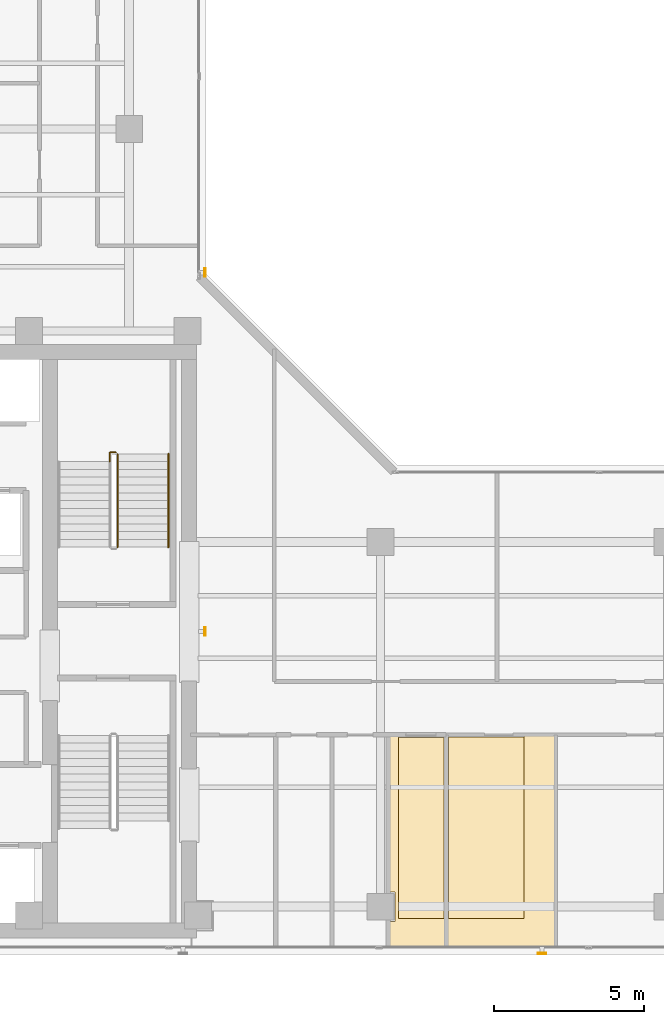
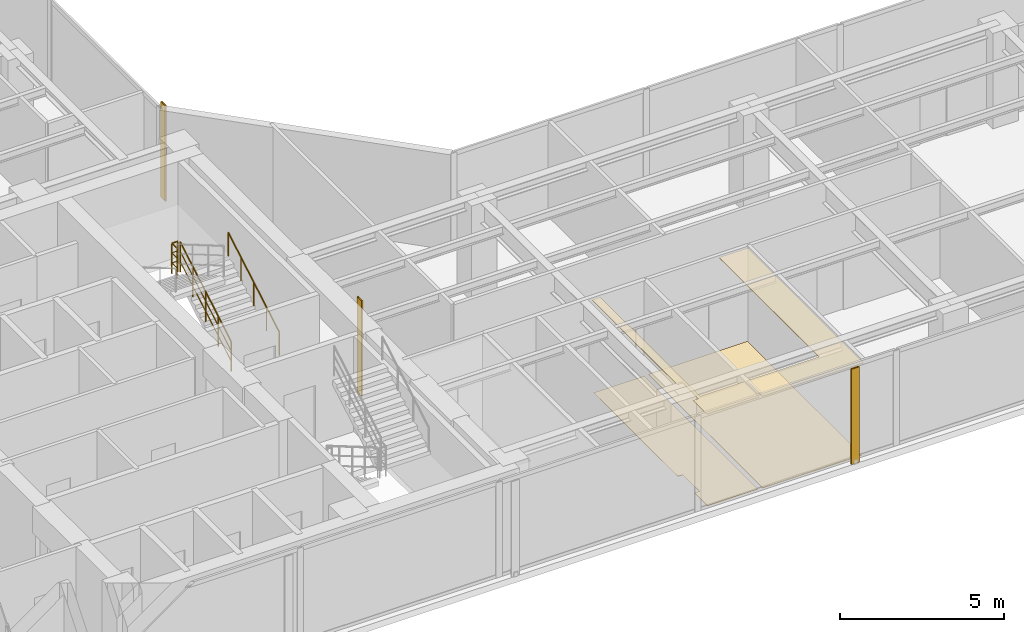
# One storey, part 20 of 22: 4 coverings, 3 railings, 3 shading devices.
"""IFC4 building model written with IfcOpenShell, lengths in metres."""

from ifc_helpers import new_model, si_unit, direction, frame, origin, origin_2d, place, context, subcontext, project, spatial, polyline, hollow_rectangle, circle, outline, extrude, material, layer, layer_set, material_profile, profile_set, type_object, element, save


model = new_model("IFC4")

# Units and contexts
model_context = context("Model", 3, precision=1e-05, world=origin(), true_north=direction((0.0, 1.0)))
body_context = subcontext(model_context, "Body", "Model", "MODEL_VIEW")
ifc_project = project(units=[si_unit("LENGTHUNIT", "METRE"), si_unit("AREAUNIT", "SQUARE_METRE"), si_unit("VOLUMEUNIT", "CUBIC_METRE"), si_unit("PLANEANGLEUNIT", "RADIAN"), si_unit("MASSUNIT", "GRAM", prefix="KILO")], contexts=[model_context])

# Site, building, storey
site_placement = place(None, origin())
site = spatial("IfcSite", under=ifc_project, at=site_placement, CompositionType="ELEMENT")
building_placement = place(site_placement, origin())
building = spatial("IfcBuilding", under=site, at=building_placement, Name="Kolvaren Waterfront Exchange", CompositionType="ELEMENT")
storey_placement = place(building_placement, frame((0.0, 0.0, 274.199951171875)))
storey = spatial("IfcBuildingStorey", under=building, at=storey_placement, Name="L70", CompositionType="ELEMENT", Elevation=274.199951171875)

# Coverings
ifc_material_1 = material(Name="Mineral fibre acoustic ceiling tile")
ifc_layer_1 = layer(ifc_material_1, 0.02490234375, Name="Mineral fibre acoustic ceiling tile")
ifc_layer_set_1 = layer_set([ifc_layer_1], Name="Mineral fibre acoustic ceiling tile")
covering_type_1 = type_object("IfcCoveringType", Name="ARC-CEIL-ACOUSTIC-25", PredefinedType="CEILING", material=ifc_layer_set_1)
covering_1_placement = place(storey_placement, frame((0.0, 0.0, 3.445068359375)))
element("IfcCovering", 1, at=covering_1_placement, inside=storey, type_object=covering_type_1, Name="L70 acoustic suspended ceiling 1", PredefinedType="CEILING", context=body_context, shape_type="SweptSolid", body=[
    extrude(outline(polyline([(27.5048828125, 5.68994140625), (27.68994140625, 5.68994140625), (27.68994140625, 4.7099609375), (27.5048828125, 4.7099609375), (27.5048828125, 3.864990234375), (29.35498046875, 3.864990234375), (29.35498046875, 4.800048828125), (27.800048828125, 4.800048828125), (27.800048828125, 10.89501953125), (27.5048828125, 10.89501953125), (27.5048828125, 5.68994140625)])), origin(), (0.0, 0.0, 1.0), 0.02490234375),
])
covering_2_placement = place(storey_placement, frame((0.0, 0.0, 3.445068359375)))
element("IfcCovering", 2, at=covering_2_placement, inside=storey, type_object=covering_type_1, Name="L70 acoustic suspended ceiling 3", PredefinedType="CEILING", context=body_context, shape_type="SweptSolid", body=[
    extrude(outline(polyline([(33.014892578125, 3.844970703125), (33.014892578125, 10.9150390625), (32.0, 10.9150390625), (32.0, 4.800048828125), (29.445068359375, 4.800048828125), (29.445068359375, 3.844970703125), (33.014892578125, 3.844970703125)])), origin(), (0.0, 0.0, 1.0), 0.02490234375),
])

# Shading devices
ifc_material_2 = material(Name="Anodised bronze aluminium 6063-T6", Category="aluminium")
ifc_material_profile = material_profile(ifc_material_2, hollow_rectangle(XDim=0.054931640625, YDim=0.280029296875, WallThickness=0.00439453125, at=origin_2d()), Name="BRZ-FIN-280x55x4.5")
ifc_profile_set = profile_set([ifc_material_profile], Name="Anodised bronze aluminium 6063-T6")
shading_device_type = type_object("IfcShadingDeviceType", Name="ARC-FIN-280", PredefinedType="USERDEFINED", material=ifc_profile_set)
for number, where, z_axis, x_axis, name in (
    (3, (32.60009765625, 3.639892578125, 0.0), (0.0, 0.0, 1.0), (0.0, -1.0, 0.0), "L70 anodised bronze solar shading fin FIN-L70-S3"),
    (4, (21.328369140625, 14.39990234375, 0.0), (0.0, 0.0, 1.0), (1.0, 0.0, 0.0), "L70 anodised bronze solar shading fin FIN-L70-E1"),
    (5, (21.328369140625, 26.39990234375, 0.0), (0.0, 0.0, 1.0), (1.0, 0.0, 0.0), "L70 anodised bronze solar shading fin FIN-L70-E2"),
):
    element("IfcShadingDevice", number, at=place(storey_placement, frame(where, z_axis=z_axis, x_axis=x_axis)), inside=storey, type_object=shading_device_type, Name=name, ObjectType="SOLAR FIN", PredefinedType="USERDEFINED", context=body_context, shape_type="SweptSolid", body=[
        extrude(hollow_rectangle(XDim=0.054931640625, YDim=0.280029296875, WallThickness=0.00439453125, at=origin_2d()), origin(), (0.0, 0.0, 1.0), 3.56005859375),
    ])

# Coverings
ifc_material_3 = material(Name="Slip-resistant porcelain tile")
ifc_layer_2 = layer(ifc_material_3, 0.014892578125, Name="Slip-resistant porcelain tile")
ifc_layer_set_2 = layer_set([ifc_layer_2], Name="Slip-resistant porcelain tile")
covering_type_2 = type_object("IfcCoveringType", Name="ARC-FLR-PORC-15", PredefinedType="FLOORING", material=ifc_layer_set_2)
covering_3_placement = place(storey_placement, origin())
element("IfcCovering", 6, at=covering_3_placement, inside=storey, type_object=covering_type_2, Name="L70 floor finish 1", PredefinedType="FLOORING", context=body_context, shape_type="SweptSolid", body=[
    extrude(outline(polyline([(27.5400390625, 4.68994140625), (27.5400390625, 3.89990234375), (29.320068359375, 3.89990234375), (29.320068359375, 10.860107421875), (27.5400390625, 10.860107421875), (27.5400390625, 5.7099609375), (27.7099609375, 5.7099609375), (27.7099609375, 4.68994140625), (27.5400390625, 4.68994140625)])), origin(), (0.0, 0.0, 1.0), 0.01513671875),
])
covering_4_placement = place(storey_placement, origin())
element("IfcCovering", 7, at=covering_4_placement, inside=storey, type_object=covering_type_2, Name="L70 floor finish 3", PredefinedType="FLOORING", context=body_context, shape_type="SweptSolid", body=[
    extrude(outline(polyline([(29.47998046875, 10.8798828125), (29.47998046875, 3.8798828125), (32.97998046875, 3.8798828125), (32.97998046875, 10.8798828125), (29.47998046875, 10.8798828125)])), origin(), (0.0, 0.0, 1.0), 0.01513671875),
])

# Railings
ifc_material_4 = material(Name="Stainless steel 316", Category="steel")
railing_type_1 = type_object("IfcRailingType", Name="ARC-GUARD-STAIR", PredefinedType="GUARDRAIL", material=ifc_material_4)
railing_1_placement = place(storey_placement, frame((18.409912109375, 17.219970703125, 0.152099609375)))
element("IfcRailing", 8, at=railing_1_placement, inside=storey, type_object=railing_type_1, Name="L70 ST2 stair guard 1", PredefinedType="GUARDRAIL", context=body_context, shape_type="SweptSolid", body=[
    extrude(circle(Radius=0.02392578125, at=origin_2d()), frame((0.0, 0.0, 1.1259765625), z_axis=(0.0, 0.86330811405, 0.504677223793), x_axis=(-1.0, 0.0, 0.0)), (0.0, 0.0, 1.0), 3.6142578125),
    extrude(circle(Radius=0.01611328125, at=origin_2d()), frame((0.0, 0.0, 0.390869140625), z_axis=(0.0, 0.86330811405, 0.504677223793), x_axis=(-1.0, 0.0, 0.0)), (0.0, 0.0, 1.0), 3.6142578125),
    extrude(circle(Radius=0.01611328125, at=origin_2d()), frame((0.0, 0.0, 0.7705078125), z_axis=(0.0, 0.86330811405, 0.504677223793), x_axis=(-1.0, 0.0, 0.0)), (0.0, 0.0, 1.0), 3.6142578125),
    extrude(circle(Radius=0.02099609375, at=origin_2d()), origin(), (0.0, 0.0, 1.0), 1.101806640625),
    extrude(circle(Radius=0.02099609375, at=origin_2d()), frame((0.0, 0.780029296875, 0.4560546875)), (0.0, 0.0, 1.0), 1.101806640625),
    extrude(circle(Radius=0.02099609375, at=origin_2d()), frame((0.0, 1.56005859375, 0.912109375)), (0.0, 0.0, 1.0), 1.101806640625),
    extrude(circle(Radius=0.02099609375, at=origin_2d()), frame((0.0, 2.340087890625, 1.367919921875)), (0.0, 0.0, 1.0), 1.101806640625),
    extrude(circle(Radius=0.02099609375, at=origin_2d()), frame((0.0, 3.1201171875, 1.823974609375)), (0.0, 0.0, 1.0), 1.101806640625),
])
railing_2_placement = place(storey_placement, frame((18.360107421875, 20.389892578125, 1.97607421875)))
element("IfcRailing", 9, at=railing_2_placement, inside=storey, type_object=railing_type_1, Name="L70 ST2 stair guard 2", PredefinedType="GUARDRAIL", context=body_context, shape_type="SweptSolid", body=[
    extrude(circle(Radius=0.02392578125, at=origin_2d()), frame((0.0, 0.0, 1.1259765625), z_axis=(-1.0, 0.0, 0.0), x_axis=(0.0, -1.0, 0.0)), (0.0, 0.0, 1.0), 0.210205078125),
    extrude(circle(Radius=0.01611328125, at=origin_2d()), frame((0.0, 0.0, 0.390869140625), z_axis=(-1.0, 0.0, 0.0), x_axis=(0.0, -1.0, 0.0)), (0.0, 0.0, 1.0), 0.210205078125),
    extrude(circle(Radius=0.01611328125, at=origin_2d()), frame((0.0, 0.0, 0.7705078125), z_axis=(-1.0, 0.0, 0.0), x_axis=(0.0, -1.0, 0.0)), (0.0, 0.0, 1.0), 0.210205078125),
    extrude(circle(Radius=0.02392578125, at=origin_2d()), frame((-0.210205078125, 0.0, 1.1259765625), z_axis=(0.0, -1.0, 0.0), x_axis=(1.0, 0.0, 0.0)), (0.0, 0.0, 1.0), 0.309814453125),
    extrude(circle(Radius=0.01611328125, at=origin_2d()), frame((-0.210205078125, 0.0, 0.390869140625), z_axis=(0.0, -1.0, 0.0), x_axis=(1.0, 0.0, 0.0)), (0.0, 0.0, 1.0), 0.309814453125),
    extrude(circle(Radius=0.01611328125, at=origin_2d()), frame((-0.210205078125, 0.0, 0.7705078125), z_axis=(0.0, -1.0, 0.0), x_axis=(1.0, 0.0, 0.0)), (0.0, 0.0, 1.0), 0.309814453125),
    extrude(circle(Radius=0.02099609375, at=origin_2d()), origin(), (0.0, 0.0, 1.0), 1.101806640625),
    extrude(circle(Radius=0.02099609375, at=origin_2d()), frame((-0.210205078125, 0.0, 0.0)), (0.0, 0.0, 1.0), 1.101806640625),
    extrude(circle(Radius=0.02099609375, at=origin_2d()), frame((-0.210205078125, -0.309814453125, 0.0)), (0.0, 0.0, 1.0), 1.101806640625),
])
railing_type_2 = type_object("IfcRailingType", Name="ARC-HANDRAIL-900", PredefinedType="HANDRAIL", material=ifc_material_4)
railing_3_placement = place(storey_placement, frame((20.110107421875, 17.219970703125, 0.152099609375)))
element("IfcRailing", 10, at=railing_3_placement, inside=storey, type_object=railing_type_2, Name="L70 ST2 stair handrail 1", PredefinedType="HANDRAIL", context=body_context, shape_type="SweptSolid", body=[
    extrude(circle(Radius=0.02392578125, at=origin_2d()), frame((0.0, 0.0, 0.8759765625), z_axis=(0.0, 0.86330811405, 0.504677223793), x_axis=(-1.0, 0.0, 0.0)), (0.0, 0.0, 1.0), 3.6142578125),
    extrude(circle(Radius=0.02099609375, at=origin_2d()), origin(), (0.0, 0.0, 1.0), 0.851806640625),
    extrude(circle(Radius=0.02099609375, at=origin_2d()), frame((0.0, 0.780029296875, 0.4560546875)), (0.0, 0.0, 1.0), 0.851806640625),
    extrude(circle(Radius=0.02099609375, at=origin_2d()), frame((0.0, 1.56005859375, 0.912109375)), (0.0, 0.0, 1.0), 0.851806640625),
    extrude(circle(Radius=0.02099609375, at=origin_2d()), frame((0.0, 2.340087890625, 1.367919921875)), (0.0, 0.0, 1.0), 0.851806640625),
    extrude(circle(Radius=0.02099609375, at=origin_2d()), frame((0.0, 3.1201171875, 1.823974609375)), (0.0, 0.0, 1.0), 0.851806640625),
])

save(model, "model.ifc")
